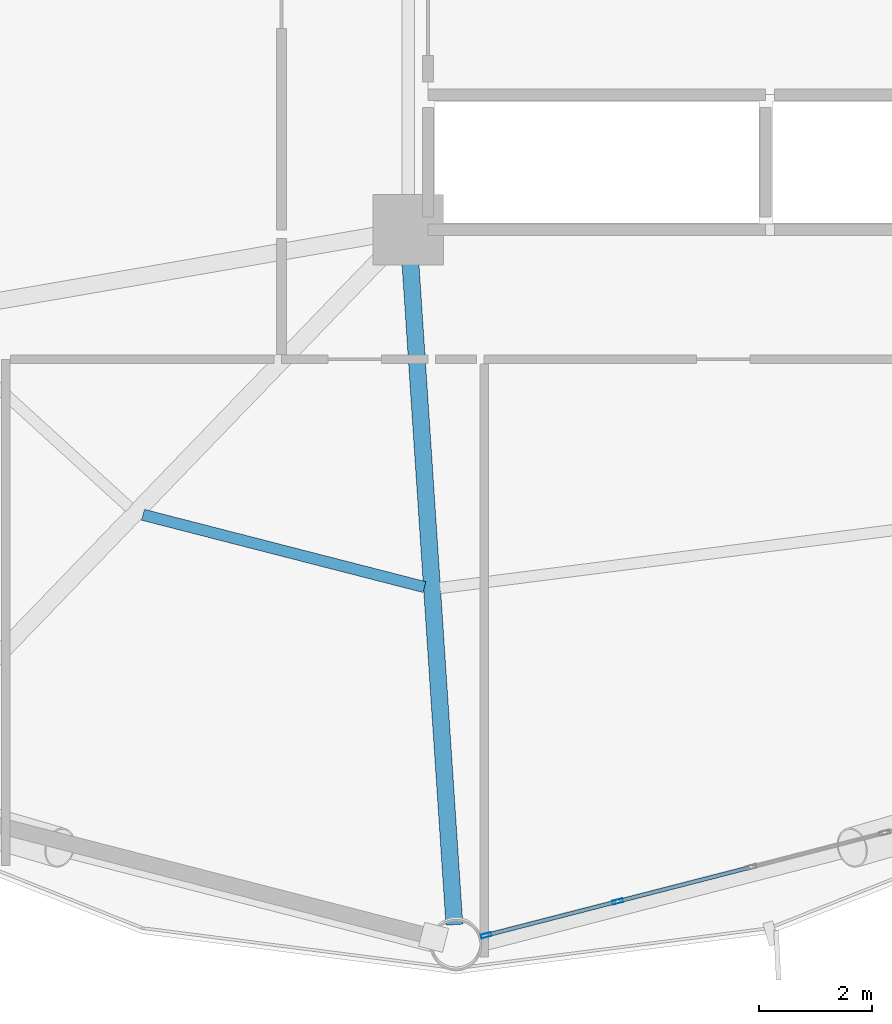
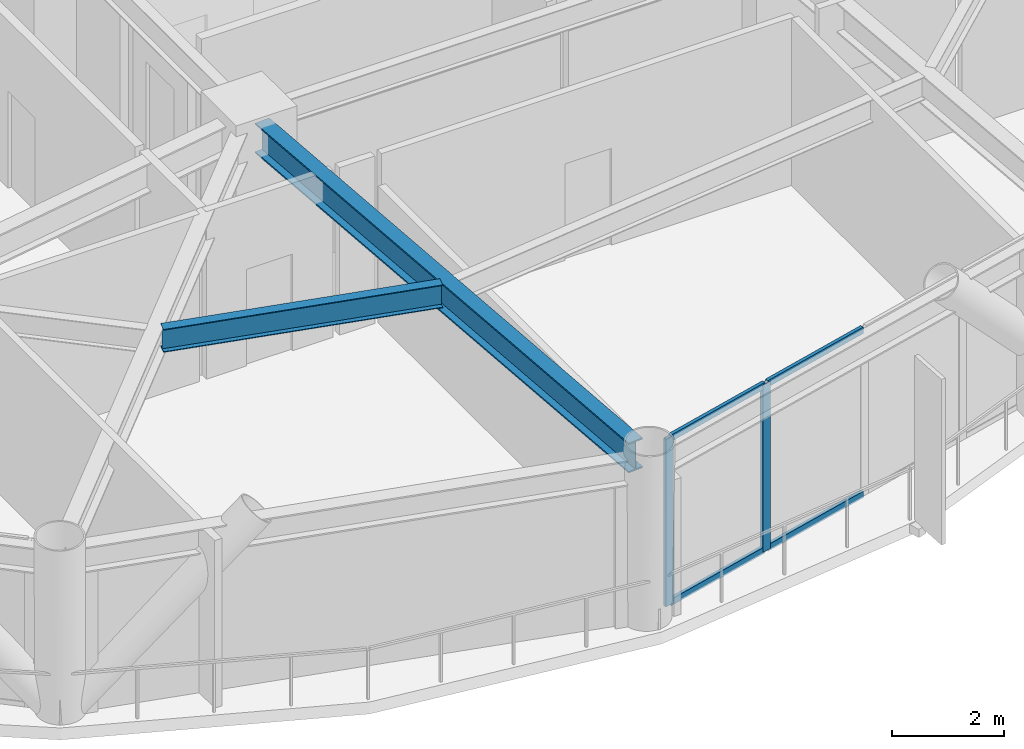
# One storey, part 7 of 26: 6 members, 2 beams, 1 element without a shape of its own.
"""IFC4 building model written with IfcOpenShell, lengths in metres."""

from ifc_helpers import new_model, si_unit, direction, frame, origin, origin_2d, place, context, subcontext, project, spatial, hollow_rectangle, i_section, extrude, material, layer, layer_set, material_profile, profile_set, type_object, element, aggregate, save


model = new_model("IFC4")

# Units and contexts
model_context = context("Model", 3, precision=1e-05, world=origin(), true_north=direction((0.0, 1.0)))
body_context = subcontext(model_context, "Body", "Model", "MODEL_VIEW")
ifc_project = project(units=[si_unit("LENGTHUNIT", "METRE"), si_unit("AREAUNIT", "SQUARE_METRE"), si_unit("VOLUMEUNIT", "CUBIC_METRE"), si_unit("PLANEANGLEUNIT", "RADIAN"), si_unit("MASSUNIT", "GRAM", prefix="KILO")], contexts=[model_context])

# Site, building, storey
site_placement = place(None, origin())
site = spatial("IfcSite", under=ifc_project, at=site_placement, CompositionType="ELEMENT")
building_placement = place(site_placement, origin())
building = spatial("IfcBuilding", under=site, at=building_placement, Name="Varnakorn Sky Granary", CompositionType="ELEMENT")
storey_placement = place(building_placement, frame((0.0, 0.0, 51.0)))
storey = spatial("IfcBuildingStorey", under=building, at=storey_placement, Name="L12", CompositionType="ELEMENT", Elevation=51.0)

# Beams
ifc_material_1 = material(Name="Steel S355JR", Category="steel")
ifc_material_profile_1 = material_profile(ifc_material_1, i_section(OverallWidth=0.300048828125, OverallDepth=0.64990234375, WebThickness=0.01611328125, FlangeThickness=0.031005859375, at=origin_2d()), Name="HE 650 B")
ifc_profile_set_1 = profile_set([ifc_material_profile_1], Name="Steel S355JR")
beam_type_1 = type_object("IfcBeamType", Name="BM-RAD-Z1", PredefinedType="BEAM", material=ifc_profile_set_1)
beam_1_placement = place(storey_placement, frame((-2.322021484375, -7.01904296875, 3.31494140625), z_axis=(0.066318379051, -0.997798513028, 0.0), x_axis=(0.997798513028, 0.066318379051, 0.0)))
element("IfcBeam", 1, at=beam_1_placement, inside=storey, type_object=beam_type_1, Name="Radial Floor Girder RG10 L12", PredefinedType="BEAM", context=body_context, shape_type="SweptSolid", body=[
    extrude(i_section(OverallWidth=0.300048828125, OverallDepth=0.64990234375, WebThickness=0.01611328125, FlangeThickness=0.031005859375, at=origin_2d()), origin(), (0.0, 0.0, 1.0), 11.953369140625),
])
ifc_material_profile_2 = material_profile(ifc_material_1, i_section(OverallWidth=0.199951171875, OverallDepth=0.5, WebThickness=0.01025390625, FlangeThickness=0.01611328125, at=origin_2d()), Name="IPE 500")
ifc_profile_set_2 = profile_set([ifc_material_profile_2], Name="Steel S355JR")
beam_type_2 = type_object("IfcBeamType", Name="BM-SEC-Z1", PredefinedType="BEAM", material=ifc_profile_set_2)
beam_2_placement = place(storey_placement, frame((-7.0615234375, -11.663330078125, 3.389892578125), z_axis=(0.96855612433, -0.248795164792, 0.0), x_axis=(0.248795164792, 0.96855612433, 0.0)))
element("IfcBeam", 2, at=beam_2_placement, inside=storey, type_object=beam_type_2, Name="Secondary Floor Chord Beam MSB09 L12", PredefinedType="BEAM", context=body_context, shape_type="SweptSolid", body=[
    extrude(i_section(OverallWidth=0.199951171875, OverallDepth=0.5, WebThickness=0.01025390625, FlangeThickness=0.01611328125, at=origin_2d()), origin(), (0.0, 0.0, 1.0), 5.16259765625),
])

# Curtain wall, members
ifc_material_2 = material(Name="Anodised Bronze Aluminium Alloy 6063-T6", Category="aluminium")
ifc_layer = layer(ifc_material_2, 0.18994140625, Name="Anodised Bronze Aluminium Alloy 6063-T6")
ifc_layer_set = layer_set([ifc_layer], Name="Anodised Bronze Aluminium Alloy 6063-T6")
curtain_wall_type = type_object("IfcCurtainWallType", Name="CW-FRM-1", PredefinedType="USERDEFINED", material=ifc_layer_set)
curtain_wall_placement = place(storey_placement, origin())
curtain_wall = element("IfcCurtainWall", 3, at=curtain_wall_placement, inside=storey, type_object=curtain_wall_type, Name="Unitised Curtain Wall CW3 CW-L12-B10", ObjectType="CURTAIN WALL", PredefinedType="USERDEFINED")
ifc_material_profile_3 = material_profile(ifc_material_2, hollow_rectangle(XDim=0.070068359375, YDim=0.18505859375, WallThickness=0.00390625, at=origin_2d()), Name="ALU MULL 70x185")
ifc_profile_set_3 = profile_set([ifc_material_profile_3], Name="Anodised Bronze Aluminium Alloy 6063-T6")
member_type_1 = type_object("IfcMemberType", Name="CW-FRM-1-MULL", PredefinedType="MULLION", material=ifc_profile_set_3)
member_1_placement = place(storey_placement, frame((1.3720703125, -18.53369140625, 0.0), z_axis=(0.0, 0.0, 1.0), x_axis=(0.2492492625, -0.968439365755, 0.0)))
member_1 = element("IfcMember", 4, at=member_1_placement, type_object=member_type_1, Name="CW3 mullion 4", PredefinedType="MULLION", context=body_context, shape_type="SweptSolid", body=[
    extrude(hollow_rectangle(XDim=0.070068359375, YDim=0.18505859375, WallThickness=0.00390625, at=origin_2d()), origin(), (0.0, 0.0, 1.0), 3.639892578125),
])
member_2_placement = place(storey_placement, frame((-0.96533203125, -19.135498046875, 0.0), z_axis=(0.0, 0.0, 1.0), x_axis=(0.2492492625, -0.968439365755, 0.0)))
member_2 = element("IfcMember", 5, at=member_2_placement, type_object=member_type_1, Name="CW3 mullion 5", PredefinedType="MULLION", context=body_context, shape_type="SweptSolid", body=[
    extrude(hollow_rectangle(XDim=0.070068359375, YDim=0.18505859375, WallThickness=0.00390625, at=origin_2d()), origin(), (0.0, 0.0, 1.0), 3.639892578125),
])
ifc_material_profile_4 = material_profile(ifc_material_2, hollow_rectangle(XDim=0.070068359375, YDim=0.139892578125, WallThickness=0.00341796875, at=origin_2d()), Name="ALU TRAN 70x140")
ifc_profile_set_4 = profile_set([ifc_material_profile_4], Name="Anodised Bronze Aluminium Alloy 6063-T6")
member_type_2 = type_object("IfcMemberType", Name="CW-FRM-1-TRAN", PredefinedType="USERDEFINED", material=ifc_profile_set_4)
member_3_placement = place(storey_placement, frame((3.70947265625, -17.93212890625, 0.034912109375), z_axis=(-0.968428539612, -0.249291322882, 0.0), x_axis=(0.249291322882, -0.968428539612, 0.0)))
member_3 = element("IfcMember", 6, at=member_3_placement, type_object=member_type_2, Name="CW3 transom 3.1", ObjectType="TRANSOM", PredefinedType="USERDEFINED", context=body_context, shape_type="SweptSolid", body=[
    extrude(hollow_rectangle(XDim=0.070068359375, YDim=0.139892578125, WallThickness=0.00341796875, at=origin_2d()), origin(), (0.0, 0.0, 1.0), 2.37890625),
])
member_4_placement = place(storey_placement, frame((3.70947265625, -17.93212890625, 3.60498046875), z_axis=(-0.968428539612, -0.249291322882, 0.0), x_axis=(0.249291322882, -0.968428539612, 0.0)))
member_4 = element("IfcMember", 7, at=member_4_placement, type_object=member_type_2, Name="CW3 transom 3.2", ObjectType="TRANSOM", PredefinedType="USERDEFINED", context=body_context, shape_type="SweptSolid", body=[
    extrude(hollow_rectangle(XDim=0.070068359375, YDim=0.139892578125, WallThickness=0.00341796875, at=origin_2d()), origin(), (0.0, 0.0, 1.0), 2.37890625),
])
member_5_placement = place(storey_placement, frame((1.338134765625, -18.54248046875, 0.034912109375), z_axis=(-0.96842756941, -0.249295091824, 0.0), x_axis=(0.249295091824, -0.96842756941, 0.0)))
member_5 = element("IfcMember", 8, at=member_5_placement, type_object=member_type_2, Name="CW3 transom 4.1", ObjectType="TRANSOM", PredefinedType="USERDEFINED", context=body_context, shape_type="SweptSolid", body=[
    extrude(hollow_rectangle(XDim=0.070068359375, YDim=0.139892578125, WallThickness=0.00341796875, at=origin_2d()), origin(), (0.0, 0.0, 1.0), 2.343505859375),
])
member_6_placement = place(storey_placement, frame((1.338134765625, -18.54248046875, 3.60498046875), z_axis=(-0.96842756941, -0.249295091824, 0.0), x_axis=(0.249295091824, -0.96842756941, 0.0)))
member_6 = element("IfcMember", 9, at=member_6_placement, type_object=member_type_2, Name="CW3 transom 4.2", ObjectType="TRANSOM", PredefinedType="USERDEFINED", context=body_context, shape_type="SweptSolid", body=[
    extrude(hollow_rectangle(XDim=0.070068359375, YDim=0.139892578125, WallThickness=0.00341796875, at=origin_2d()), origin(), (0.0, 0.0, 1.0), 2.343505859375),
])
aggregate(curtain_wall, [member_1, member_2, member_3, member_4, member_5, member_6])

save(model, "model.ifc")
